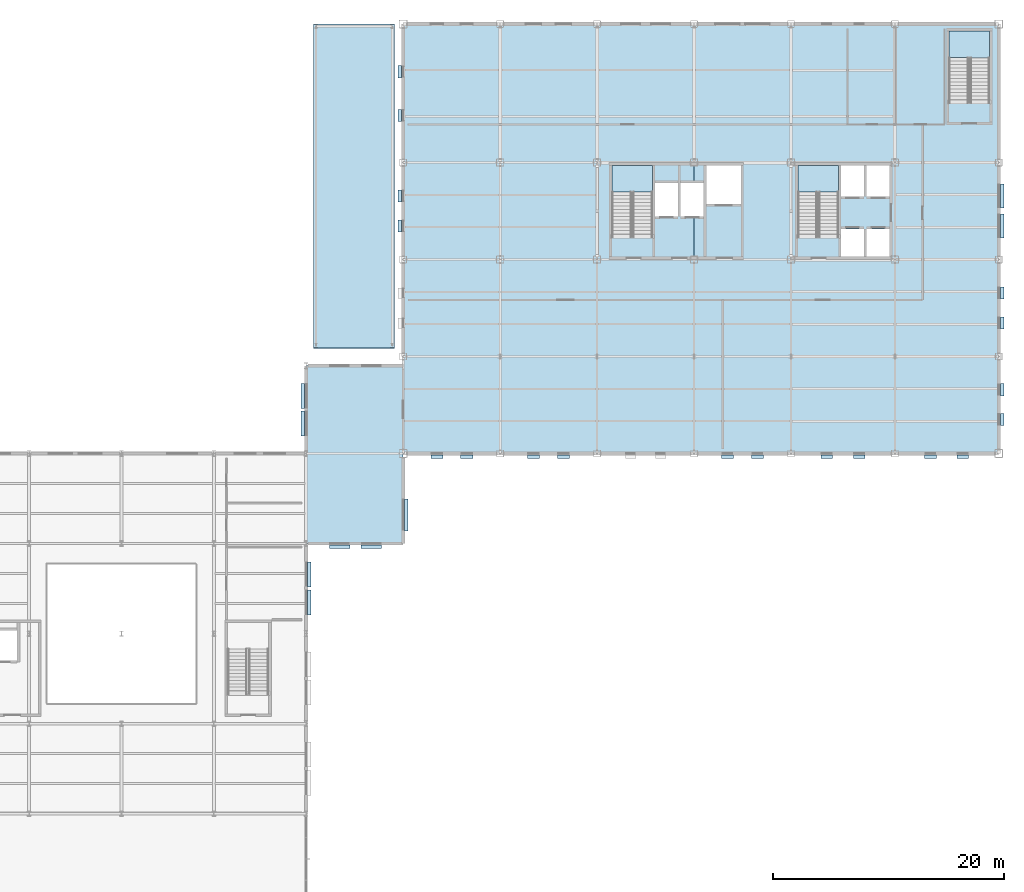
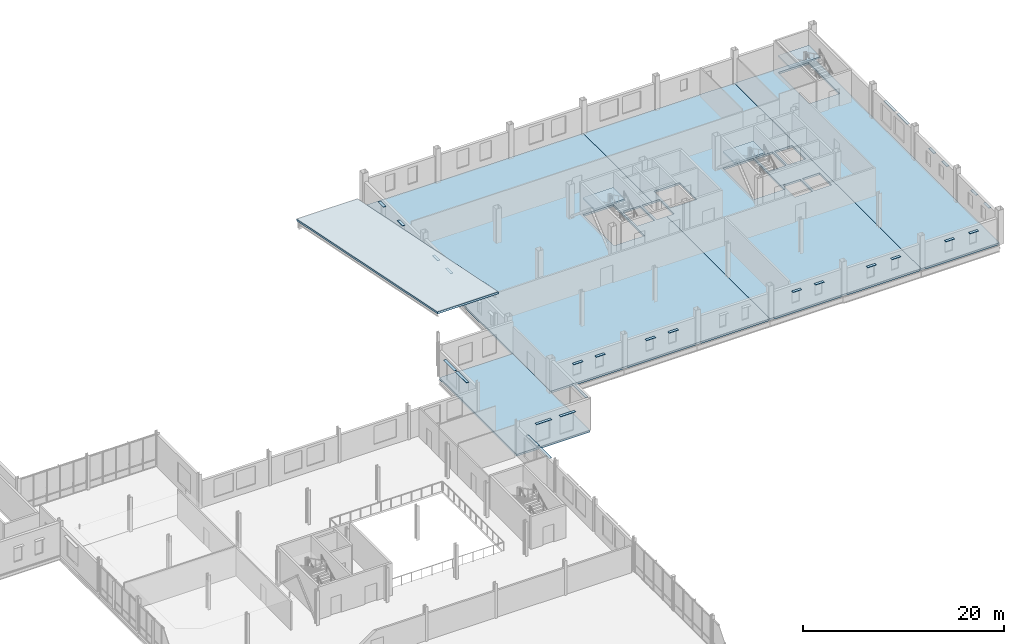
# One storey, part 53 of 75: 27 plates, 8 slabs, 3 elements without a shape of their own.
"""IFC4 building model written with IfcOpenShell, lengths in metres."""

from ifc_helpers import new_model, si_unit, direction, frame, origin, origin_2d, place, context, subcontext, project, spatial, polyline, rectangle, outline, extrude, material, layer, layer_set, type_object, element, aggregate, save


model = new_model("IFC4")

# Units and contexts
model_context = context("Model", 3, precision=1e-05, world=origin(), true_north=direction((0.0, 1.0)))
body_context = subcontext(model_context, "Body", "Model", "MODEL_VIEW")
ifc_project = project(units=[si_unit("LENGTHUNIT", "METRE"), si_unit("AREAUNIT", "SQUARE_METRE"), si_unit("VOLUMEUNIT", "CUBIC_METRE"), si_unit("PLANEANGLEUNIT", "RADIAN"), si_unit("MASSUNIT", "GRAM", prefix="KILO")], contexts=[model_context])

# Site, building, storey
site_placement = place(None, origin())
site = spatial("IfcSite", under=ifc_project, at=site_placement, CompositionType="ELEMENT")
building_placement = place(site_placement, origin())
building = spatial("IfcBuilding", under=site, at=building_placement, Name="Yukiwa Park Conservatory and Herbarium", CompositionType="ELEMENT")
storey_placement = place(building_placement, frame((0.0, 0.0, 4.800048828125)))
storey = spatial("IfcBuildingStorey", under=building, at=storey_placement, Name="L01", CompositionType="ELEMENT", Elevation=4.800048828125)

# Plates
ifc_material_1 = material(Name="Anodised Aluminium", Category="aluminium")
ifc_layer_1 = layer(ifc_material_1, 0.0400390625)
ifc_layer_set_1 = layer_set([ifc_layer_1], Name="Anodised Aluminium")
plate_type = type_object("IfcPlateType", Name="PL-SHADE-ALU-40", PredefinedType="SHEET", material=ifc_layer_set_1)
for number, where, z_axis, x_axis, name in (
    (1, (108.284912109375, 65.089111328125, 3.169921875), (0.0, 0.0, 1.0), (0.0, 1.0, 0.0), "L01 snow-shedding window hood 30"),
    (2, (108.284912109375, 67.534912109375, 3.169921875), (0.0, 0.0, 1.0), (0.0, 1.0, 0.0), "L01 snow-shedding window hood 31"),
):
    element("IfcPlate", number, at=place(storey_placement, frame(where, z_axis=z_axis, x_axis=x_axis)), inside=storey, type_object=plate_type, Name=name, PredefinedType="SHEET", context=body_context, shape_type="SweptSolid", body=[
        extrude(rectangle(XDim=2.159912109375, YDim=0.300048828125, at=origin_2d()), origin(), (0.0, 0.0, 1.0), 0.0400390625),
    ])
for number, where, z_axis, x_axis, name in (
    (3, (110.89990234375, 69.9150390625, 3.139892578125), (0.0, 0.0, 1.0), (1.0, 0.0, 0.0), "L01 snow-shedding window hood 32"),
    (4, (113.64990234375, 69.9150390625, 3.139892578125), (0.0, 0.0, 1.0), (1.0, 0.0, 0.0), "L01 snow-shedding window hood 33"),
):
    element("IfcPlate", number, at=place(storey_placement, frame(where, z_axis=z_axis, x_axis=x_axis)), inside=storey, type_object=plate_type, Name=name, PredefinedType="SHEET", context=body_context, shape_type="SweptSolid", body=[
        extrude(rectangle(XDim=1.760009765625, YDim=0.300048828125, at=origin_2d()), origin(), (0.0, 0.0, 1.0), 0.0400390625),
    ])
plate_placement = place(storey_placement, frame((116.68505859375, 72.68310546875, 3.18994140625), z_axis=(0.0, 0.0, 1.0), x_axis=(0.0, 1.0, 0.0)))
element("IfcPlate", 5, at=plate_placement, inside=storey, type_object=plate_type, Name="L01 snow-shedding window hood 34", PredefinedType="SHEET", context=body_context, shape_type="SweptSolid", body=[
    extrude(rectangle(XDim=2.760009765625, YDim=0.300048828125, at=origin_2d()), origin(), (0.0, 0.0, 1.0), 0.0400390625),
])
for number, where, z_axis, x_axis, name in (
    (6, (119.3330078125, 77.699951171875, 2.639892578125), (0.0, 0.0, 1.0), (1.0, 0.0, 0.0), "L01 snow-shedding window hood 35"),
    (7, (121.9169921875, 77.699951171875, 2.639892578125), (0.0, 0.0, 1.0), (1.0, 0.0, 0.0), "L01 snow-shedding window hood 36"),
    (8, (127.699951171875, 77.699951171875, 2.639892578125), (0.0, 0.0, 1.0), (1.0, 0.0, 0.0), "L01 snow-shedding window hood 37"),
    (9, (130.300048828125, 77.699951171875, 2.639892578125), (0.0, 0.0, 1.0), (1.0, 0.0, 0.0), "L01 snow-shedding window hood 38"),
):
    element("IfcPlate", number, at=place(storey_placement, frame(where, z_axis=z_axis, x_axis=x_axis)), inside=storey, type_object=plate_type, Name=name, PredefinedType="SHEET", context=body_context, shape_type="SweptSolid", body=[
        extrude(rectangle(XDim=1.06005859375, YDim=0.300048828125, at=origin_2d()), origin(), (0.0, 0.0, 1.0), 0.0400390625),
    ])
for number, where, z_axis, x_axis, name in (
    (10, (144.5, 77.699951171875, 2.58984375), (0.0, 0.0, 1.0), (1.0, 0.0, 0.0), "L01 snow-shedding window hood 41"),
    (11, (147.10009765625, 77.699951171875, 2.58984375), (0.0, 0.0, 1.0), (1.0, 0.0, 0.0), "L01 snow-shedding window hood 42"),
    (12, (153.10009765625, 77.699951171875, 2.58984375), (0.0, 0.0, 1.0), (1.0, 0.0, 0.0), "L01 snow-shedding window hood 43"),
    (13, (155.89990234375, 77.699951171875, 2.58984375), (0.0, 0.0, 1.0), (1.0, 0.0, 0.0), "L01 snow-shedding window hood 44"),
    (14, (162.0830078125, 77.699951171875, 2.58984375), (0.0, 0.0, 1.0), (1.0, 0.0, 0.0), "L01 snow-shedding window hood 45"),
    (15, (164.866943359375, 77.699951171875, 2.58984375), (0.0, 0.0, 1.0), (1.0, 0.0, 0.0), "L01 snow-shedding window hood 46"),
):
    element("IfcPlate", number, at=place(storey_placement, frame(where, z_axis=z_axis, x_axis=x_axis)), inside=storey, type_object=plate_type, Name=name, PredefinedType="SHEET", context=body_context, shape_type="SweptSolid", body=[
        extrude(rectangle(XDim=1.010009765625, YDim=0.300048828125, at=origin_2d()), origin(), (0.0, 0.0, 1.0), 0.0400390625),
    ])
for number, where, z_axis, x_axis, name in (
    (16, (168.300048828125, 80.93310546875, 2.639892578125), (0.0, 0.0, 1.0), (0.0, 1.0, 0.0), "L01 snow-shedding window hood 47"),
    (17, (168.300048828125, 83.51708984375, 2.639892578125), (0.0, 0.0, 1.0), (0.0, 1.0, 0.0), "L01 snow-shedding window hood 48"),
    (18, (168.300048828125, 89.300048828125, 2.639892578125), (0.0, 0.0, 1.0), (0.0, 1.0, 0.0), "L01 snow-shedding window hood 49"),
    (19, (168.300048828125, 91.89990234375, 2.639892578125), (0.0, 0.0, 1.0), (0.0, 1.0, 0.0), "L01 snow-shedding window hood 50"),
):
    element("IfcPlate", number, at=place(storey_placement, frame(where, z_axis=z_axis, x_axis=x_axis)), inside=storey, type_object=plate_type, Name=name, PredefinedType="SHEET", context=body_context, shape_type="SweptSolid", body=[
        extrude(rectangle(XDim=1.06005859375, YDim=0.300048828125, at=origin_2d()), origin(), (0.0, 0.0, 1.0), 0.0400390625),
    ])
for number, where, z_axis, x_axis, name in (
    (20, (168.300048828125, 97.699951171875, 2.989990234375), (0.0, 0.0, 1.0), (0.0, 1.0, 0.0), "L01 snow-shedding window hood 51"),
    (21, (168.300048828125, 100.300048828125, 2.989990234375), (0.0, 0.0, 1.0), (0.0, 1.0, 0.0), "L01 snow-shedding window hood 52"),
):
    element("IfcPlate", number, at=place(storey_placement, frame(where, z_axis=z_axis, x_axis=x_axis)), inside=storey, type_object=plate_type, Name=name, PredefinedType="SHEET", context=body_context, shape_type="SweptSolid", body=[
        extrude(rectangle(XDim=2.110107421875, YDim=0.300048828125, at=origin_2d()), origin(), (0.0, 0.0, 1.0), 0.0400390625),
    ])
for number, where, z_axis, x_axis, name in (
    (22, (116.10009765625, 111.06689453125, 2.7900390625), (0.0, 0.0, 1.0), (0.0, -1.0, 0.0), "L01 snow-shedding window hood 53"),
    (23, (116.10009765625, 107.282958984375, 2.7900390625), (0.0, 0.0, 1.0), (0.0, -1.0, 0.0), "L01 snow-shedding window hood 54"),
    (24, (116.10009765625, 100.300048828125, 2.7900390625), (0.0, 0.0, 1.0), (0.0, -1.0, 0.0), "L01 snow-shedding window hood 55"),
    (25, (116.10009765625, 97.699951171875, 2.7900390625), (0.0, 0.0, 1.0), (0.0, -1.0, 0.0), "L01 snow-shedding window hood 56"),
):
    element("IfcPlate", number, at=place(storey_placement, frame(where, z_axis=z_axis, x_axis=x_axis)), inside=storey, type_object=plate_type, Name=name, PredefinedType="SHEET", context=body_context, shape_type="SweptSolid", body=[
        extrude(rectangle(XDim=1.06005859375, YDim=0.300048828125, at=origin_2d()), origin(), (0.0, 0.0, 1.0), 0.0400390625),
    ])
for number, where, z_axis, x_axis, name in (
    (26, (107.715087890625, 82.97705078125, 3.169921875), (0.0, 0.0, 1.0), (0.0, -1.0, 0.0), "L01 snow-shedding window hood 59"),
    (27, (107.715087890625, 80.59912109375, 3.169921875), (0.0, 0.0, 1.0), (0.0, -1.0, 0.0), "L01 snow-shedding window hood 60"),
):
    element("IfcPlate", number, at=place(storey_placement, frame(where, z_axis=z_axis, x_axis=x_axis)), inside=storey, type_object=plate_type, Name=name, PredefinedType="SHEET", context=body_context, shape_type="SweptSolid", body=[
        extrude(rectangle(XDim=2.159912109375, YDim=0.300048828125, at=origin_2d()), origin(), (0.0, 0.0, 1.0), 0.0400390625),
    ])

# Slabs
ifc_material_2 = material(Name="Concrete C40", Category="concrete")
ifc_layer_2 = layer(ifc_material_2, 0.239990234375)
ifc_layer_set_2 = layer_set([ifc_layer_2], Name="Concrete C40")
slab_type_1 = type_object("IfcSlabType", Name="SL-FLR-240", PredefinedType="FLOOR", material=ifc_layer_set_2)
slab_1_placement = place(storey_placement, frame((0.0, 0.0, -0.239990234375)))
element("IfcSlab", 28, at=slab_1_placement, inside=storey, type_object=slab_type_1, Name="L01 composite structural floor slab LNKVT", PredefinedType="FLOOR", context=body_context, shape_type="SweptSolid", body=[
    extrude(outline(polyline([(108.0, 70.199951171875), (108.0, 85.60009765625), (116.39990234375, 85.60009765625), (116.39990234375, 70.199951171875), (108.0, 70.199951171875)])), origin(), (0.0, 0.0, 1.0), 0.239990234375),
])
slab_2_placement = place(storey_placement, frame((0.0, 0.0, -0.239990234375)))
element("IfcSlab", 29, at=slab_2_placement, inside=storey, type_object=slab_type_1, Name="L01 composite structural floor slab V5W", PredefinedType="FLOOR", context=body_context, shape_type="SweptSolid", body=[
    extrude(outline(polyline([(141.60009765625, 78.0), (116.39990234375, 78.0), (116.39990234375, 115.199951171875), (141.60009765625, 115.199951171875), (141.60009765625, 101.43994140625), (140.43994140625, 101.43994140625), (140.43994140625, 98.5400390625), (141.60009765625, 98.5400390625), (141.60009765625, 78.0)]), holes=[polyline([(138.0, 102.949951171875), (134.489990234375, 102.949951171875), (134.489990234375, 96.72998046875), (138.0, 96.72998046875), (138.0, 102.949951171875)]), polyline([(140.219970703125, 101.43994140625), (138.219970703125, 101.43994140625), (138.219970703125, 98.5400390625), (140.219970703125, 98.5400390625), (140.219970703125, 101.43994140625)])]), origin(), (0.0, 0.0, 1.0), 0.239990234375),
])
slab_3_placement = place(storey_placement, frame((0.0, 0.0, -0.239990234375)))
element("IfcSlab", 30, at=slab_3_placement, inside=storey, type_object=slab_type_1, Name="L01 composite structural floor slab V5C", PredefinedType="FLOOR", context=body_context, shape_type="SweptSolid", body=[
    extrude(outline(polyline([(141.60009765625, 115.199951171875), (159.0, 115.199951171875), (159.0, 78.0), (141.60009765625, 78.0), (141.60009765625, 98.5400390625), (142.43994140625, 98.5400390625), (142.43994140625, 101.43994140625), (141.60009765625, 101.43994140625), (141.60009765625, 115.199951171875)]), holes=[polyline([(156.330078125, 97.449951171875), (154.330078125, 97.449951171875), (154.330078125, 95.050048828125), (156.330078125, 95.050048828125), (156.330078125, 97.449951171875)]), polyline([(158.550048828125, 97.449951171875), (156.550048828125, 97.449951171875), (156.550048828125, 95.050048828125), (158.550048828125, 95.050048828125), (158.550048828125, 97.449951171875)]), polyline([(154.110107421875, 102.949951171875), (150.60009765625, 102.949951171875), (150.60009765625, 96.72998046875), (154.110107421875, 96.72998046875), (154.110107421875, 102.949951171875)]), polyline([(145.659912109375, 102.949951171875), (142.659912109375, 102.949951171875), (142.659912109375, 99.60009765625), (145.659912109375, 99.60009765625), (145.659912109375, 102.949951171875)]), polyline([(156.330078125, 102.949951171875), (154.330078125, 102.949951171875), (154.330078125, 100.25), (156.330078125, 100.25), (156.330078125, 102.949951171875)]), polyline([(158.550048828125, 100.25), (158.550048828125, 102.949951171875), (156.550048828125, 102.949951171875), (156.550048828125, 100.25), (158.550048828125, 100.25)])]), origin(), (0.0, 0.0, 1.0), 0.239990234375),
])
slab_4_placement = place(storey_placement, frame((0.0, 0.0, -0.239990234375)))
element("IfcSlab", 31, at=slab_4_placement, inside=storey, type_object=slab_type_1, Name="L01 composite structural floor slab V5E", PredefinedType="FLOOR", context=body_context, shape_type="SweptSolid", body=[
    extrude(outline(polyline([(159.0, 78.0), (159.0, 115.199951171875), (168.0, 115.199951171875), (168.0, 78.0), (159.0, 78.0)]), holes=[polyline([(167.199951171875, 108.3798828125), (167.199951171875, 114.60009765625), (163.68994140625, 114.60009765625), (163.68994140625, 108.3798828125), (167.199951171875, 108.3798828125)])]), origin(), (0.0, 0.0, 1.0), 0.239990234375),
])

# Stair, slab
ifc_material_3 = material(Name="Concrete C40", Category="concrete")
stair_type_1 = type_object("IfcStairType", Name="ST-DOGLEG-ST-T1", PredefinedType="HALF_TURN_STAIR", material=ifc_material_3)
stair_1_placement = place(storey_placement, origin())
stair_1 = element("IfcStair", 32, at=stair_1_placement, inside=storey, type_object=stair_type_1, Name="L01 Protected Smoke-Proof Stair ST-T1", PredefinedType="HALF_TURN_STAIR")
ifc_material_4 = material(Name="Concrete C40", Category="concrete")
ifc_layer_3 = layer(ifc_material_4, 0.199951171875)
ifc_layer_set_3 = layer_set([ifc_layer_3], Name="Concrete C40")
slab_type_2 = type_object("IfcSlabType", Name="SL-LANDING-220", PredefinedType="LANDING", material=ifc_layer_set_3)
slab_5_placement = place(storey_placement, frame((0.0, 0.0, 1.89990234375)))
slab_5 = element("IfcSlab", 33, at=slab_5_placement, type_object=slab_type_2, Name="ST-T1 landing 1", PredefinedType="LANDING", context=body_context, shape_type="SweptSolid", body=[
    extrude(outline(polyline([(138.0, 100.6298828125), (138.0, 102.949951171875), (134.489990234375, 102.949951171875), (134.489990234375, 100.6298828125), (138.0, 100.6298828125)])), origin(), (0.0, 0.0, 1.0), 0.199951171875),
])
aggregate(stair_1, [slab_5])

ifc_material_5 = material(Name="Concrete C40", Category="concrete")
stair_type_2 = type_object("IfcStairType", Name="ST-DOGLEG-ST-T2", PredefinedType="HALF_TURN_STAIR", material=ifc_material_5)
stair_2_placement = place(storey_placement, origin())
stair_2 = element("IfcStair", 34, at=stair_2_placement, inside=storey, type_object=stair_type_2, Name="L01 Protected Smoke-Proof Stair ST-T2", PredefinedType="HALF_TURN_STAIR")
slab_6_placement = place(storey_placement, frame((0.0, 0.0, 1.89990234375)))
slab_6 = element("IfcSlab", 35, at=slab_6_placement, type_object=slab_type_2, Name="ST-T2 landing 1", PredefinedType="LANDING", context=body_context, shape_type="SweptSolid", body=[
    extrude(outline(polyline([(154.110107421875, 100.6298828125), (154.110107421875, 102.949951171875), (150.60009765625, 102.949951171875), (150.60009765625, 100.6298828125), (154.110107421875, 100.6298828125)])), origin(), (0.0, 0.0, 1.0), 0.199951171875),
])
aggregate(stair_2, [slab_6])

ifc_material_6 = material(Name="Concrete C40", Category="concrete")
stair_type_3 = type_object("IfcStairType", Name="ST-DOGLEG-ST-T3", PredefinedType="HALF_TURN_STAIR", material=ifc_material_6)
stair_3_placement = place(storey_placement, origin())
stair_3 = element("IfcStair", 36, at=stair_3_placement, inside=storey, type_object=stair_type_3, Name="L01 Protected Smoke-Proof Stair ST-T3", PredefinedType="HALF_TURN_STAIR")
slab_7_placement = place(storey_placement, frame((0.0, 0.0, 1.89990234375)))
slab_7 = element("IfcSlab", 37, at=slab_7_placement, type_object=slab_type_2, Name="ST-T3 landing 1", PredefinedType="LANDING", context=body_context, shape_type="SweptSolid", body=[
    extrude(outline(polyline([(167.199951171875, 112.280029296875), (167.199951171875, 114.60009765625), (163.68994140625, 114.60009765625), (163.68994140625, 112.280029296875), (167.199951171875, 112.280029296875)])), origin(), (0.0, 0.0, 1.0), 0.199951171875),
])
aggregate(stair_3, [slab_7])

# Slab
ifc_material_7 = material(Name="Concrete C40", Category="concrete")
ifc_layer_4 = layer(ifc_material_7, 0.219970703125)
ifc_layer_set_4 = layer_set([ifc_layer_4], Name="Concrete C40")
slab_type_3 = type_object("IfcSlabType", Name="SL-ROOF-220", PredefinedType="ROOF", material=ifc_layer_set_4)
slab_8_placement = place(storey_placement, frame((108.64990234375, 87.14990234375, 6.806640625), z_axis=(0.0, 0.199365927554, 0.97992511292), x_axis=(1.0, 0.0, 0.0)))
element("IfcSlab", 38, at=slab_8_placement, inside=storey, type_object=slab_type_3, Name="North Service Portal Canopy sloped roof slab", PredefinedType="ROOF", context=body_context, shape_type="SweptSolid", body=[
    extrude(outline(polyline([(0.0, 0.0), (7.0, 0.0), (7.0, 28.624686170715048), (0.0, 28.624686170715048), (0.0, 0.0)])), origin(), (0.0, 0.0, -1.0), 0.219970703125),
])

save(model, "model.ifc")
